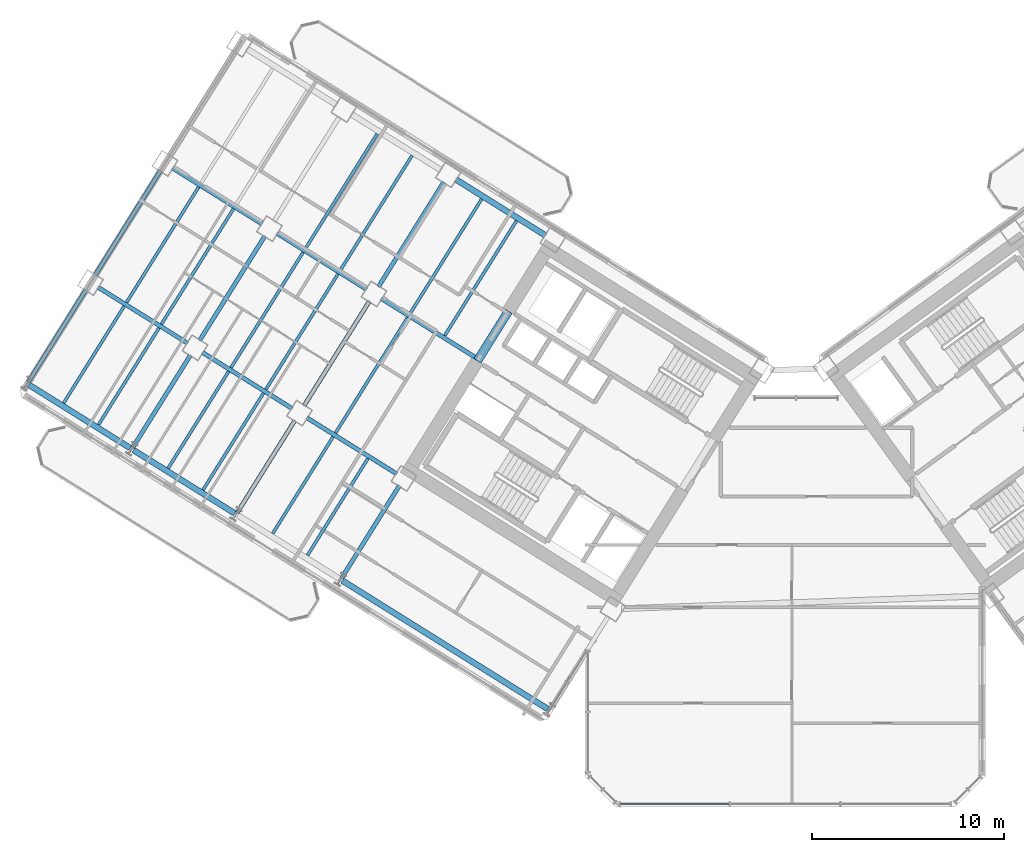
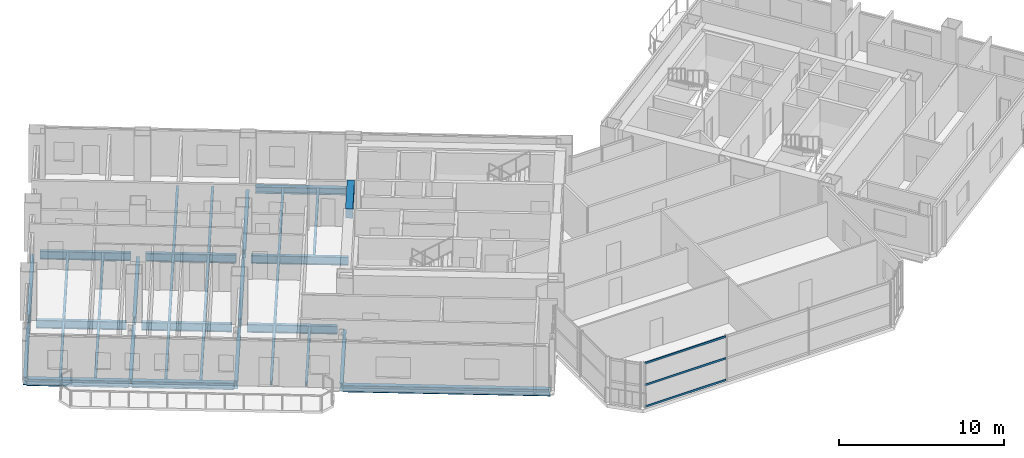
# One storey, part 6 of 28: 34 beams, 3 members, 1 element without a shape of its own.
"""IFC4 building model written with IfcOpenShell, lengths in metres."""

from ifc_helpers import new_model, si_unit, direction, frame, origin, origin_2d, place, context, subcontext, project, spatial, rectangle, hollow_rectangle, i_section, extrude, source, transform, mapped, material, material_profile, profile_set, type_object, element, aggregate, save


model = new_model("IFC4")

# Units and contexts
model_context = context("Model", 3, precision=1e-05, world=origin(), true_north=direction((0.0, 1.0)))
body_context = subcontext(model_context, "Body", "Model", "MODEL_VIEW")
ifc_project = project(units=[si_unit("LENGTHUNIT", "METRE"), si_unit("AREAUNIT", "SQUARE_METRE"), si_unit("VOLUMEUNIT", "CUBIC_METRE"), si_unit("PLANEANGLEUNIT", "RADIAN"), si_unit("MASSUNIT", "GRAM", prefix="KILO")], contexts=[model_context])

# Site, building, storey
site_placement = place(None, origin())
site = spatial("IfcSite", under=ifc_project, at=site_placement, CompositionType="ELEMENT")
building_placement = place(site_placement, origin())
building = spatial("IfcBuilding", under=site, at=building_placement, Name="Tlacorven Tower", CompositionType="ELEMENT")
storey_placement = place(building_placement, frame((0.0, 0.0, 63.60009765625)))
storey = spatial("IfcBuildingStorey", under=building, at=storey_placement, Name="L16", CompositionType="ELEMENT", Elevation=63.60009765625)

# Beams
ifc_material_1 = material(Name="Concrete C60/75", Category="concrete")
ifc_material_profile_1 = material_profile(ifc_material_1, rectangle(XDim=0.449951171875, YDim=0.699951171875, at=origin_2d()), Name="RC 450X700")
ifc_profile_set_1 = profile_set([ifc_material_profile_1], Name="Concrete C60/75")
beam_type_1 = type_object("IfcBeamType", Name="BM-LNT-700", PredefinedType="LINTEL", material=ifc_profile_set_1)
shared_shape_1 = source(origin(), body_context, "Body", "SweptSolid", [
    extrude(rectangle(XDim=0.449951171875, YDim=0.699951171875, at=origin_2d()), origin(), (0.0, 0.0, 1.0), 3.0498046875),
])
beam_1_placement = place(storey_placement, frame((27.622802734375, 27.562255859375, 3.0), z_axis=(-0.529926983584, -0.848043272522, 0.0), x_axis=(0.848043272522, -0.529926983584, 0.0)))
element("IfcBeam", 1, at=beam_1_placement, inside=storey, type_object=beam_type_1, Name="L16 W core coupling lintel beam E2", PredefinedType="LINTEL", context=body_context, shape_type="MappedRepresentation", body=[
    mapped(shared_shape_1, transform((0.0, 0.0, 0.0), scale=1.0)),
])
ifc_material_2 = material(Name="Steel S355J2", Category="steel")
ifc_material_profile_2 = material_profile(ifc_material_2, i_section(OverallWidth=0.300048828125, OverallDepth=0.489990234375, WebThickness=0.011962890625, FlangeThickness=0.02294921875, at=origin_2d()), Name="HEA 500")
ifc_profile_set_2 = profile_set([ifc_material_profile_2], Name="Steel S355J2")
beam_type_2 = type_object("IfcBeamType", Name="BM-SPN-500", PredefinedType="SPANDREL", material=ifc_profile_set_2)
shared_shape_2 = source(origin(), body_context, "Body", "SweptSolid", [
    extrude(i_section(OverallWidth=0.300048828125, OverallDepth=0.489990234375, WebThickness=0.011962890625, FlangeThickness=0.02294921875, at=origin_2d()), origin(), (0.0, 0.0, 1.0), 5.5),
])
beam_2_placement = place(storey_placement, frame((29.54638671875, 31.48974609375, -0.4951171875), z_axis=(-0.848050668838, 0.52991514706, 0.0), x_axis=(-0.52991514706, -0.848050668838, 0.0)))
element("IfcBeam", 2, at=beam_2_placement, inside=storey, type_object=beam_type_2, Name="L16 beam BM-L16-WL1-3", PredefinedType="SPANDREL", context=body_context, shape_type="MappedRepresentation", body=[
    mapped(shared_shape_2, transform((0.0, 0.0, 0.0), scale=1.0)),
])
ifc_material_profile_3 = material_profile(ifc_material_2, i_section(OverallWidth=0.219970703125, OverallDepth=0.60009765625, WebThickness=0.011962890625, FlangeThickness=0.01904296875, at=origin_2d()), Name="IPE 600")
ifc_profile_set_3 = profile_set([ifc_material_profile_3], Name="Steel S355J2")
beam_type_3 = type_object("IfcBeamType", Name="BM-TWR-600", PredefinedType="BEAM", material=ifc_profile_set_3)
shared_shape_3 = source(origin(), body_context, "Body", "SweptSolid", [
    extrude(i_section(OverallWidth=0.219970703125, OverallDepth=0.60009765625, WebThickness=0.011962890625, FlangeThickness=0.01904296875, at=origin_2d()), origin(), (0.0, 0.0, 1.0), 5.909912109375),
])
beam_3_placement = place(storey_placement, frame((26.025634765625, 25.081787109375, -0.550048828125), z_axis=(-0.848047036595, 0.529920959883, 0.0), x_axis=(-0.529920959883, -0.848047036595, 0.0)))
element("IfcBeam", 3, at=beam_3_placement, inside=storey, type_object=beam_type_3, Name="L16 beam BM-L16-WL2-3", PredefinedType="BEAM", context=body_context, shape_type="MappedRepresentation", body=[
    mapped(shared_shape_3, transform((0.0, 0.0, 0.0), scale=1.0)),
])
shared_shape_4 = source(origin(), body_context, "Body", "SweptSolid", [
    extrude(i_section(OverallWidth=0.219970703125, OverallDepth=0.60009765625, WebThickness=0.011962890625, FlangeThickness=0.01904296875, at=origin_2d()), origin(), (0.0, 0.0, 1.0), 5.5),
])
for number, where, z_axis, x_axis, name in (
    (4, (20.25048828125, 28.690673828125, -0.550048828125), (-0.848050668838, 0.52991514706, 0.0), (-0.52991514706, -0.848050668838, 0.0), "L16 beam BM-L16-WL2-4"),
    (5, (14.822998046875, 32.08203125, -0.550048828125), (-0.848050668838, 0.52991514706, 0.0), (-0.52991514706, -0.848050668838, 0.0), "L16 beam BM-L16-WL2-5"),
    (6, (21.8095703125, 19.1083984375, -0.550048828125), (-0.848050668838, 0.52991514706, 0.0), (-0.52991514706, -0.848050668838, 0.0), "L16 beam BM-L16-WL3-3"),
    (7, (16.382080078125, 22.499755859375, -0.550048828125), (-0.848050668838, 0.52991514706, 0.0), (-0.52991514706, -0.848050668838, 0.0), "L16 beam BM-L16-WL3-4"),
    (8, (10.95458984375, 25.891357421875, -0.550048828125), (-0.848050668838, 0.52991514706, 0.0), (-0.52991514706, -0.848050668838, 0.0), "L16 beam BM-L16-WL3-5"),
):
    element("IfcBeam", number, at=place(storey_placement, frame(where, z_axis=z_axis, x_axis=x_axis)), inside=storey, type_object=beam_type_3, Name=name, PredefinedType="BEAM", context=body_context, shape_type="MappedRepresentation", body=[
        mapped(shared_shape_4, transform((0.0, 0.0, 0.0), scale=1.0)),
    ])
shared_shape_5 = source(origin(), body_context, "Body", "SweptSolid", [
    extrude(i_section(OverallWidth=0.300048828125, OverallDepth=0.489990234375, WebThickness=0.011962890625, FlangeThickness=0.02294921875, at=origin_2d()), origin(), (0.0, 0.0, 1.0), 12.599853515625),
])
beam_4_placement = place(storey_placement, frame((29.67578125, 6.882080078125, -0.4951171875), z_axis=(-0.848045108756, 0.529924045043, 0.0), x_axis=(-0.529924045043, -0.848045108756, 0.0)))
element("IfcBeam", 9, at=beam_4_placement, inside=storey, type_object=beam_type_2, Name="L16 beam BM-L16-WL4-1", PredefinedType="SPANDREL", context=body_context, shape_type="MappedRepresentation", body=[
    mapped(shared_shape_5, transform((0.0, 0.0, 0.0), scale=1.0)),
])
shared_shape_6 = source(origin(), body_context, "Body", "SweptSolid", [
    extrude(i_section(OverallWidth=0.300048828125, OverallDepth=0.489990234375, WebThickness=0.011962890625, FlangeThickness=0.02294921875, at=origin_2d()), origin(), (0.0, 0.0, 1.0), 6.199951171875),
])
for number, where, z_axis, x_axis, name in (
    (10, (13.393310546875, 17.056396484375, -0.4951171875), (-0.848033697614, 0.529942306022, 0.0), (-0.529942306022, -0.848033697614, 0.0), "L16 beam BM-L16-WL4-4"),
    (11, (7.9658203125, 20.447998046875, -0.4951171875), (-0.848051394107, 0.529913986372, 0.0), (-0.529913986372, -0.848051394107, 0.0), "L16 beam BM-L16-WL4-5"),
):
    element("IfcBeam", number, at=place(storey_placement, frame(where, z_axis=z_axis, x_axis=x_axis)), inside=storey, type_object=beam_type_2, Name=name, PredefinedType="SPANDREL", context=body_context, shape_type="MappedRepresentation", body=[
        mapped(shared_shape_6, transform((0.0, 0.0, 0.0), scale=1.0)),
    ])
shared_shape_7 = source(origin(), body_context, "Body", "SweptSolid", [
    extrude(i_section(OverallWidth=0.219970703125, OverallDepth=0.60009765625, WebThickness=0.011962890625, FlangeThickness=0.01904296875, at=origin_2d()), origin(), (0.0, 0.0, 1.0), 5.650146484375),
])
for number, where, z_axis, x_axis, name in (
    (12, (21.95263671875, 18.48828125, -0.550048828125), (-0.529929025184, -0.848041996759, 0.0), (0.848041996759, -0.529929025184, 0.0), "L16 beam BM-L16-WT3-2"),
    (13, (16.525146484375, 21.879638671875, -0.550048828125), (-0.529929025184, -0.848041996759, 0.0), (0.848041996759, -0.529929025184, 0.0), "L16 beam BM-L16-WT4-3"),
    (14, (11.09765625, 25.271240234375, -0.550048828125), (-0.529929025184, -0.848041996759, 0.0), (0.848041996759, -0.529929025184, 0.0), "L16 beam BM-L16-WT5-3"),
    (15, (5.670166015625, 28.66259765625, -0.550048828125), (-0.529929025184, -0.848041996759, 0.0), (0.848041996759, -0.529929025184, 0.0), "L16 beam BM-L16-WT6-3"),
):
    element("IfcBeam", number, at=place(storey_placement, frame(where, z_axis=z_axis, x_axis=x_axis)), inside=storey, type_object=beam_type_3, Name=name, PredefinedType="BEAM", context=body_context, shape_type="MappedRepresentation", body=[
        mapped(shared_shape_7, transform((0.0, 0.0, 0.0), scale=1.0)),
    ])
shared_shape_8 = source(origin(), body_context, "Body", "SweptSolid", [
    extrude(i_section(OverallWidth=0.219970703125, OverallDepth=0.60009765625, WebThickness=0.011962890625, FlangeThickness=0.01904296875, at=origin_2d()), origin(), (0.0, 0.0, 1.0), 6.39990234375),
])
for number, where, z_axis, x_axis, name in (
    (16, (24.261962890625, 34.26123046875, -0.550048828125), (-0.529906354247, -0.848056163074, 0.0), (0.848056163074, -0.529906354247, 0.0), "L16 beam BM-L16-WT4-1"),
    (17, (20.3935546875, 28.070556640625, -0.550048828125), (-0.529906354247, -0.848056163074, 0.0), (0.848056163074, -0.529906354247, 0.0), "L16 beam BM-L16-WT4-2"),
):
    element("IfcBeam", number, at=place(storey_placement, frame(where, z_axis=z_axis, x_axis=x_axis)), inside=storey, type_object=beam_type_3, Name=name, PredefinedType="BEAM", context=body_context, shape_type="MappedRepresentation", body=[
        mapped(shared_shape_8, transform((0.0, 0.0, 0.0), scale=1.0)),
    ])
shared_shape_9 = source(origin(), body_context, "Body", "SweptSolid", [
    extrude(i_section(OverallWidth=0.219970703125, OverallDepth=0.60009765625, WebThickness=0.011962890625, FlangeThickness=0.01904296875, at=origin_2d()), origin(), (0.0, 0.0, 1.0), 6.400146484375),
])
for number, where, z_axis, x_axis, name in (
    (18, (14.966064453125, 31.4619140625, -0.550048828125), (-0.529933789039, -0.848039019877, 0.0), (0.848039019877, -0.529933789039, 0.0), "L16 beam BM-L16-WT5-2"),
    (19, (9.53857421875, 34.853515625, -0.550048828125), (-0.529933789039, -0.848039019877, 0.0), (0.848039019877, -0.529933789039, 0.0), "L16 beam BM-L16-WT6-2"),
):
    element("IfcBeam", number, at=place(storey_placement, frame(where, z_axis=z_axis, x_axis=x_axis)), inside=storey, type_object=beam_type_3, Name=name, PredefinedType="BEAM", context=body_context, shape_type="MappedRepresentation", body=[
        mapped(shared_shape_9, transform((0.0, 0.0, 0.0), scale=1.0)),
    ])
ifc_material_profile_4 = material_profile(ifc_material_2, i_section(OverallWidth=0.159912109375, OverallDepth=0.330078125, WebThickness=0.007568359375, FlangeThickness=0.011474609375, at=origin_2d()), Name="IPE 330")
ifc_profile_set_4 = profile_set([ifc_material_profile_4], Name="Steel S355J2")
beam_type_4 = type_object("IfcBeamType", Name="BM-JST-330", PredefinedType="JOIST", material=ifc_profile_set_4)
shared_shape_10 = source(origin(), body_context, "Body", "SweptSolid", [
    extrude(i_section(OverallWidth=0.159912109375, OverallDepth=0.330078125, WebThickness=0.007568359375, FlangeThickness=0.011474609375, at=origin_2d()), origin(), (0.0, 0.0, 1.0), 7.030029296875),
])
for number, where, z_axis, x_axis, name in (
    (20, (28.03662109375, 32.25048828125, -0.4150390625), (-0.529911532383, -0.848052927504, 0.0), (0.848052927504, -0.529911532383, 0.0), "L16 beam BM-L16-WJ3-1-1"),
    (21, (26.2275390625, 33.380859375, -0.4150390625), (-0.529927139185, -0.84804317529, 0.0), (0.84804317529, -0.529927139185, 0.0), "L16 beam BM-L16-WJ3-1-2"),
    (22, (22.609130859375, 35.641845703125, -0.4150390625), (-0.529927139185, -0.84804317529, 0.0), (0.84804317529, -0.529927139185, 0.0), "L16 beam BM-L16-WJ4-1-1"),
    (23, (20.800048828125, 36.7724609375, -0.4150390625), (-0.529911532383, -0.848052927504, 0.0), (0.848052927504, -0.529911532383, 0.0), "L16 beam BM-L16-WJ4-1-2"),
):
    element("IfcBeam", number, at=place(storey_placement, frame(where, z_axis=z_axis, x_axis=x_axis)), inside=storey, type_object=beam_type_4, Name=name, PredefinedType="JOIST", context=body_context, shape_type="MappedRepresentation", body=[
        mapped(shared_shape_10, transform((0.0, 0.0, 0.0), scale=1.0)),
    ])
shared_shape_11 = source(origin(), body_context, "Body", "SweptSolid", [
    extrude(i_section(OverallWidth=0.159912109375, OverallDepth=0.330078125, WebThickness=0.007568359375, FlangeThickness=0.011474609375, at=origin_2d()), origin(), (0.0, 0.0, 1.0), 5.93017578125),
])
for number, where, z_axis, x_axis, name in (
    (24, (20.321044921875, 19.90283203125, -0.4150390625), (-0.529899018132, -0.848060746989, 0.0), (0.848060746989, -0.529899018132, 0.0), "L16 beam BM-L16-WJ3-3-1"),
    (25, (18.51171875, 21.033447265625, -0.4150390625), (-0.529899018132, -0.848060746989, 0.0), (0.848060746989, -0.529899018132, 0.0), "L16 beam BM-L16-WJ3-3-2"),
    (26, (9.466064453125, 26.685791015625, -0.4150390625), (-0.529928626913, -0.848042245633, 0.0), (0.848042245633, -0.529928626913, 0.0), "L16 beam BM-L16-WJ5-3-1"),
    (27, (7.65673828125, 27.81640625, -0.4150390625), (-0.529899018132, -0.848060746989, 0.0), (0.848060746989, -0.529899018132, 0.0), "L16 beam BM-L16-WJ5-3-2"),
):
    element("IfcBeam", number, at=place(storey_placement, frame(where, z_axis=z_axis, x_axis=x_axis)), inside=storey, type_object=beam_type_4, Name=name, PredefinedType="JOIST", context=body_context, shape_type="MappedRepresentation", body=[
        mapped(shared_shape_11, transform((0.0, 0.0, 0.0), scale=1.0)),
    ])
shared_shape_12 = source(origin(), body_context, "Body", "SweptSolid", [
    extrude(i_section(OverallWidth=0.159912109375, OverallDepth=0.330078125, WebThickness=0.007568359375, FlangeThickness=0.011474609375, at=origin_2d()), origin(), (0.0, 0.0, 1.0), 7.070068359375),
])
for number, where, z_axis, x_axis, name in (
    (28, (22.380126953125, 27.22412109375, -0.4150390625), (-0.529890296319, -0.84806619663, 0.0), (0.84806619663, -0.529890296319, 0.0), "L16 beam BM-L16-WJ3-2-2"),
    (29, (18.761962890625, 29.485107421875, -0.4150390625), (-0.529915131461, -0.848050678585, 0.0), (0.848050678585, -0.529915131461, 0.0), "L16 beam BM-L16-WJ4-2-1"),
    (30, (13.33447265625, 32.87646484375, -0.4150390625), (-0.529930649952, -0.848040981463, 0.0), (0.848040981463, -0.529930649952, 0.0), "L16 beam BM-L16-WJ5-2-1"),
    (31, (11.525146484375, 34.007080078125, -0.4150390625), (-0.529930649952, -0.848040981463, 0.0), (0.848040981463, -0.529930649952, 0.0), "L16 beam BM-L16-WJ5-2-2"),
):
    element("IfcBeam", number, at=place(storey_placement, frame(where, z_axis=z_axis, x_axis=x_axis)), inside=storey, type_object=beam_type_4, Name=name, PredefinedType="JOIST", context=body_context, shape_type="MappedRepresentation", body=[
        mapped(shared_shape_12, transform((0.0, 0.0, 0.0), scale=1.0)),
    ])
shared_shape_13 = source(origin(), body_context, "Body", "SweptSolid", [
    extrude(i_section(OverallWidth=0.159912109375, OverallDepth=0.330078125, WebThickness=0.007568359375, FlangeThickness=0.011474609375, at=origin_2d()), origin(), (0.0, 0.0, 1.0), 5.929931640625),
])
for number, where, z_axis, x_axis, name in (
    (32, (14.8935546875, 23.294189453125, -0.4150390625), (-0.529917519894, -0.848049186138, 0.0), (0.848049186138, -0.529917519894, 0.0), "L16 beam BM-L16-WJ4-3-1"),
    (33, (13.084228515625, 24.4248046875, -0.4150390625), (-0.529917519894, -0.848049186138, 0.0), (0.848049186138, -0.529917519894, 0.0), "L16 beam BM-L16-WJ4-3-2"),
):
    element("IfcBeam", number, at=place(storey_placement, frame(where, z_axis=z_axis, x_axis=x_axis)), inside=storey, type_object=beam_type_4, Name=name, PredefinedType="JOIST", context=body_context, shape_type="MappedRepresentation", body=[
        mapped(shared_shape_13, transform((0.0, 0.0, 0.0), scale=1.0)),
    ])
shared_shape_14 = source(origin(), body_context, "Body", "SweptSolid", [
    extrude(i_section(OverallWidth=0.159912109375, OverallDepth=0.330078125, WebThickness=0.007568359375, FlangeThickness=0.011474609375, at=origin_2d()), origin(), (0.0, 0.0, 1.0), 7.06982421875),
])
beam_5_placement = place(storey_placement, frame((16.95263671875, 30.615478515625, -0.4150390625), z_axis=(-0.52990581465, -0.84805650024, 0.0), x_axis=(0.84805650024, -0.52990581465, 0.0)))
element("IfcBeam", 34, at=beam_5_placement, inside=storey, type_object=beam_type_4, Name="L16 beam BM-L16-WJ4-2-2", PredefinedType="JOIST", context=body_context, shape_type="MappedRepresentation", body=[
    mapped(shared_shape_14, transform((0.0, 0.0, 0.0), scale=1.0)),
])

# Curtain wall, members
ifc_material_3 = material(Name="Dark solar low-E double glazing in aluminium frame", Category="aluminium")
curtain_wall_type = type_object("IfcCurtainWallType", Name="CW-TWR-LOW", PredefinedType="USERDEFINED", material=ifc_material_3)
curtain_wall_placement = place(storey_placement, origin())
curtain_wall = element("IfcCurtainWall", 35, at=curtain_wall_placement, inside=storey, type_object=curtain_wall_type, Name="L16 CW-TWR-LOW Curtain Wall 88", ObjectType="UNITISED CURTAIN WALL", PredefinedType="USERDEFINED")
ifc_material_4 = material(Name="Aluminium 6063-T6 anodised", Category="aluminium")
ifc_material_profile_5 = material_profile(ifc_material_4, hollow_rectangle(XDim=0.06005859375, YDim=0.139892578125, WallThickness=0.00390625, at=origin_2d()), Name="ALU TRANSOM 60X140")
ifc_profile_set_5 = profile_set([ifc_material_profile_5], Name="Aluminium 6063-T6 anodised")
member_type = type_object("IfcMemberType", Name="CWT-02", PredefinedType="USERDEFINED", material=ifc_profile_set_5)
shared_shape_15 = source(origin(), body_context, "Body", "SweptSolid", [
    extrude(hollow_rectangle(XDim=0.06005859375, YDim=0.139892578125, WallThickness=0.00390625, at=origin_2d()), origin(), (0.0, 0.0, 1.0), 5.6748046875),
])
member_1_placement = place(storey_placement, frame((39.09912109375, 1.9599609375, 0.06982421875), z_axis=(-1.0, 0.0, 0.0), x_axis=(0.0, -1.0, 0.0)))
member_1 = element("IfcMember", 36, at=member_1_placement, type_object=member_type, Name="CW-L16-088 Transom 7", ObjectType="TRANSOM", PredefinedType="USERDEFINED", context=body_context, shape_type="MappedRepresentation", body=[
    mapped(shared_shape_15, transform((0.0, 0.0, 0.0), scale=1.0)),
])
member_2_placement = place(storey_placement, frame((39.09912109375, 1.9599609375, 1.6748046875), z_axis=(-1.0, 0.0, 0.0), x_axis=(0.0, -1.0, 0.0)))
member_2 = element("IfcMember", 37, at=member_2_placement, type_object=member_type, Name="CW-L16-088 Transom 8", ObjectType="TRANSOM", PredefinedType="USERDEFINED", context=body_context, shape_type="MappedRepresentation", body=[
    mapped(shared_shape_15, transform((0.0, 0.0, 0.0), scale=1.0)),
])
member_3_placement = place(storey_placement, frame((39.09912109375, 1.9599609375, 3.27978515625), z_axis=(-1.0, 0.0, 0.0), x_axis=(0.0, -1.0, 0.0)))
member_3 = element("IfcMember", 38, at=member_3_placement, type_object=member_type, Name="CW-L16-088 Transom 9", ObjectType="TRANSOM", PredefinedType="USERDEFINED", context=body_context, shape_type="MappedRepresentation", body=[
    mapped(shared_shape_15, transform((0.0, 0.0, 0.0), scale=1.0)),
])
aggregate(curtain_wall, [member_1, member_2, member_3])

save(model, "model.ifc")
